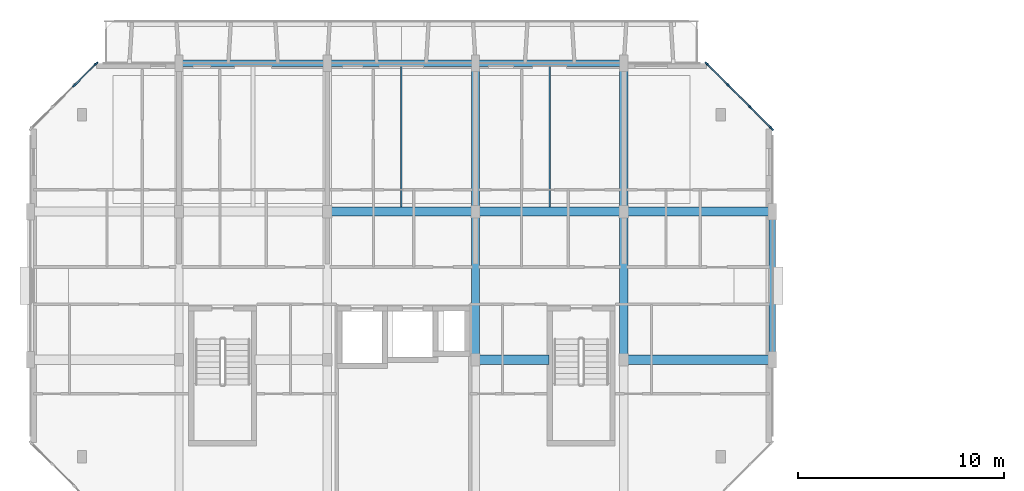
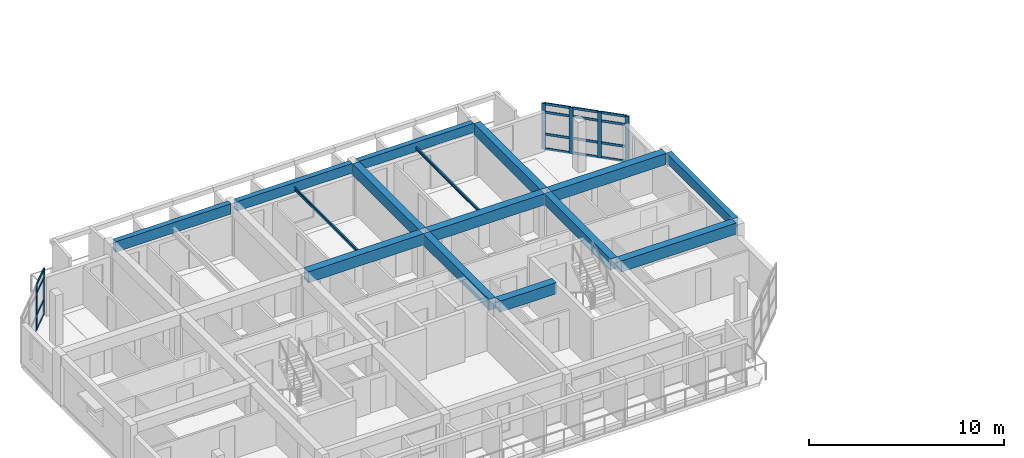
# One storey, part 6 of 44: 22 members, 15 beams, 2 elements without a shape of their own.
"""IFC4 building model written with IfcOpenShell, lengths in metres."""

from ifc_helpers import new_model, si_unit, direction, frame, origin, origin_2d, place, context, subcontext, project, spatial, rectangle, i_section, u_section, extrude, material, layer, layer_set, material_profile, profile_set, type_object, element, aggregate, save


model = new_model("IFC4")

# Units and contexts
model_context = context("Model", 3, precision=1e-05, world=origin(), true_north=direction((0.0, 1.0)))
body_context = subcontext(model_context, "Body", "Model", "MODEL_VIEW")
ifc_project = project(units=[si_unit("LENGTHUNIT", "METRE"), si_unit("AREAUNIT", "SQUARE_METRE"), si_unit("VOLUMEUNIT", "CUBIC_METRE"), si_unit("PLANEANGLEUNIT", "RADIAN"), si_unit("MASSUNIT", "GRAM", prefix="KILO")], contexts=[model_context])

# Site, building, storey
site_placement = place(None, origin())
site = spatial("IfcSite", under=ifc_project, at=site_placement, CompositionType="ELEMENT")
building_placement = place(site_placement, origin())
building = spatial("IfcBuilding", under=site, at=building_placement, Name="Ochrevale Crest", CompositionType="ELEMENT")
storey_placement = place(building_placement, frame((0.0, 0.0, 21.300048828125)))
storey = spatial("IfcBuildingStorey", under=building, at=storey_placement, Name="L06", CompositionType="ELEMENT", Elevation=21.300048828125)

# Beams
ifc_material_1 = material(Name="Precast concrete C50/60", Category="concrete")
ifc_material_profile_1 = material_profile(ifc_material_1, rectangle(XDim=0.39990234375, YDim=0.699951171875, at=origin_2d()), Name="PC 400x700")
ifc_profile_set_1 = profile_set([ifc_material_profile_1], Name="Precast concrete C50/60")
beam_type_1 = type_object("IfcBeamType", Name="BM-PC400x700", PredefinedType="BEAM", material=ifc_profile_set_1)
beam_1_placement = place(storey_placement, frame((21.60009765625, 79.405029296875, 2.800048828125), z_axis=(0.0, 1.0, 0.0), x_axis=(-1.0, 0.0, 0.0)))
element("IfcBeam", 1, at=beam_1_placement, inside=storey, type_object=beam_type_1, Name="Block B L06 N-S beam X=21.6", PredefinedType="BEAM", context=body_context, shape_type="SweptSolid", body=[
    extrude(rectangle(XDim=0.39990234375, YDim=0.699951171875, at=origin_2d()), origin(), (0.0, 0.0, 1.0), 6.7900390625),
])
beam_2_placement = place(storey_placement, frame((21.60009765625, 86.60498046875, 2.800048828125), z_axis=(0.0, 1.0, 0.0), x_axis=(-1.0, 0.0, 0.0)))
element("IfcBeam", 2, at=beam_2_placement, inside=storey, type_object=beam_type_1, Name="Block B L06 N-S beam X=21.6", PredefinedType="BEAM", context=body_context, shape_type="SweptSolid", body=[
    extrude(rectangle(XDim=0.39990234375, YDim=0.699951171875, at=origin_2d()), origin(), (0.0, 0.0, 1.0), 6.81494140625),
])
beam_3_placement = place(storey_placement, frame((28.800048828125, 79.405029296875, 2.800048828125), z_axis=(0.0, 1.0, 0.0), x_axis=(-1.0, 0.0, 0.0)))
element("IfcBeam", 3, at=beam_3_placement, inside=storey, type_object=beam_type_1, Name="Block B L06 N-S beam X=28.8", PredefinedType="BEAM", context=body_context, shape_type="SweptSolid", body=[
    extrude(rectangle(XDim=0.39990234375, YDim=0.699951171875, at=origin_2d()), origin(), (0.0, 0.0, 1.0), 6.7900390625),
])
beam_4_placement = place(storey_placement, frame((28.800048828125, 86.60498046875, 2.800048828125), z_axis=(0.0, 1.0, 0.0), x_axis=(-1.0, 0.0, 0.0)))
element("IfcBeam", 4, at=beam_4_placement, inside=storey, type_object=beam_type_1, Name="Block B L06 N-S beam X=28.8", PredefinedType="BEAM", context=body_context, shape_type="SweptSolid", body=[
    extrude(rectangle(XDim=0.39990234375, YDim=0.699951171875, at=origin_2d()), origin(), (0.0, 0.0, 1.0), 6.81494140625),
])
ifc_material_2 = material(Name="Steel S355", Category="steel")
ifc_material_profile_2 = material_profile(ifc_material_2, u_section(Depth=0.199951171875, FlangeWidth=0.074951171875, WebThickness=0.006103515625, FlangeThickness=0.011962890625, FilletRadius=0.011962890625, at=origin_2d()), Name="200PFC")
ifc_profile_set_2 = profile_set([ifc_material_profile_2], Name="Steel S355")
beam_type_2 = type_object("IfcBeamType", Name="BM-PFC200", PredefinedType="JOIST", material=ifc_profile_set_2)
beam_5_placement = place(storey_placement, frame((18.0, 86.613037109375, 2.77490234375), z_axis=(0.0, 1.0, 0.0), x_axis=(-1.0, 0.0, 0.0)))
element("IfcBeam", 5, at=beam_5_placement, inside=storey, type_object=beam_type_2, Name="Block B L06 composite plank trimmer beam 3", PredefinedType="JOIST", context=body_context, shape_type="SweptSolid", body=[
    extrude(u_section(Depth=0.199951171875, FlangeWidth=0.074951171875, WebThickness=0.006103515625, FlangeThickness=0.011962890625, FilletRadius=0.011962890625, at=origin_2d()), origin(), (0.0, 0.0, 1.0), 6.848876953125),
])
ifc_material_3 = material(Name="Concrete C50/60", Category="concrete")
ifc_material_profile_3 = material_profile(ifc_material_3, rectangle(XDim=0.449951171875, YDim=0.699951171875, at=origin_2d()), Name="RC 450x700")
ifc_profile_set_3 = profile_set([ifc_material_profile_3], Name="Concrete C50/60")
beam_type_3 = type_object("IfcBeamType", Name="BM-PG450x700", PredefinedType="USERDEFINED", material=ifc_profile_set_3)
beam_6_placement = place(storey_placement, frame((21.800048828125, 79.199951171875, 2.800048828125), z_axis=(1.0, 0.0, 0.0), x_axis=(0.0, 1.0, 0.0)))
element("IfcBeam", 6, at=beam_6_placement, inside=storey, type_object=beam_type_3, Name="Block B L06 E-W beam Y=79.2", ObjectType="GIRDER", PredefinedType="USERDEFINED", context=body_context, shape_type="SweptSolid", body=[
    extrude(rectangle(XDim=0.449951171875, YDim=0.699951171875, at=origin_2d()), origin(), (0.0, 0.0, 1.0), 3.35986328125),
])
beam_7_placement = place(storey_placement, frame((29.0, 79.199951171875, 2.800048828125), z_axis=(1.0, 0.0, 0.0), x_axis=(0.0, 1.0, 0.0)))
element("IfcBeam", 7, at=beam_7_placement, inside=storey, type_object=beam_type_3, Name="Block B L06 E-W beam Y=79.2", ObjectType="GIRDER", PredefinedType="USERDEFINED", context=body_context, shape_type="SweptSolid", body=[
    extrude(rectangle(XDim=0.449951171875, YDim=0.699951171875, at=origin_2d()), origin(), (0.0, 0.0, 1.0), 6.824951171875),
])
beam_8_placement = place(storey_placement, frame((14.60009765625, 86.39990234375, 2.800048828125), z_axis=(1.0, 0.0, 0.0), x_axis=(0.0, 1.0, 0.0)))
element("IfcBeam", 8, at=beam_8_placement, inside=storey, type_object=beam_type_3, Name="Block B L06 E-W beam Y=86.4", ObjectType="GIRDER", PredefinedType="USERDEFINED", context=body_context, shape_type="SweptSolid", body=[
    extrude(rectangle(XDim=0.449951171875, YDim=0.699951171875, at=origin_2d()), origin(), (0.0, 0.0, 1.0), 6.7998046875),
])
beam_9_placement = place(storey_placement, frame((21.800048828125, 86.39990234375, 2.800048828125), z_axis=(1.0, 0.0, 0.0), x_axis=(0.0, 1.0, 0.0)))
element("IfcBeam", 9, at=beam_9_placement, inside=storey, type_object=beam_type_3, Name="Block B L06 E-W beam Y=86.4", ObjectType="GIRDER", PredefinedType="USERDEFINED", context=body_context, shape_type="SweptSolid", body=[
    extrude(rectangle(XDim=0.449951171875, YDim=0.699951171875, at=origin_2d()), origin(), (0.0, 0.0, 1.0), 6.800048828125),
])
beam_10_placement = place(storey_placement, frame((29.0, 86.39990234375, 2.800048828125), z_axis=(1.0, 0.0, 0.0), x_axis=(0.0, 1.0, 0.0)))
element("IfcBeam", 10, at=beam_10_placement, inside=storey, type_object=beam_type_3, Name="Block B L06 E-W beam Y=86.4", ObjectType="GIRDER", PredefinedType="USERDEFINED", context=body_context, shape_type="SweptSolid", body=[
    extrude(rectangle(XDim=0.449951171875, YDim=0.699951171875, at=origin_2d()), origin(), (0.0, 0.0, 1.0), 6.824951171875),
])
ifc_material_4 = material(Name="Precast concrete C40/50", Category="concrete")
ifc_material_profile_4 = material_profile(ifc_material_4, rectangle(XDim=0.300048828125, YDim=0.580078125, at=origin_2d()), Name="PC 300x580")
ifc_profile_set_4 = profile_set([ifc_material_profile_4], Name="Precast concrete C40/50")
beam_type_4 = type_object("IfcBeamType", Name="BM-SP300x580", PredefinedType="SPANDREL", material=ifc_profile_set_4)
beam_11_placement = place(storey_placement, frame((21.77490234375, 93.60009765625, 2.85986328125), z_axis=(1.0, 0.0, 0.0), x_axis=(0.0, 1.0, 0.0)))
element("IfcBeam", 11, at=beam_11_placement, inside=storey, type_object=beam_type_4, Name="Block B L06 E-W beam Y=93.6", PredefinedType="SPANDREL", context=body_context, shape_type="SweptSolid", body=[
    extrude(rectangle(XDim=0.300048828125, YDim=0.580078125, at=origin_2d()), origin(), (0.0, 0.0, 1.0), 6.85009765625),
])
ifc_material_profile_5 = material_profile(ifc_material_4, rectangle(XDim=0.300048828125, YDim=0.60009765625, at=origin_2d()), Name="PC 300x600")
ifc_profile_set_5 = profile_set([ifc_material_profile_5], Name="Precast concrete C40/50")
beam_type_5 = type_object("IfcBeamType", Name="BM-SP300x600", PredefinedType="SPANDREL", material=ifc_profile_set_5)
beam_12_placement = place(storey_placement, frame((14.574951171875, 93.60009765625, 2.849853515625), z_axis=(1.0, 0.0, 0.0), x_axis=(0.0, 1.0, 0.0)))
element("IfcBeam", 12, at=beam_12_placement, inside=storey, type_object=beam_type_5, Name="Block B L06 E-W beam Y=93.6", PredefinedType="SPANDREL", context=body_context, shape_type="SweptSolid", body=[
    extrude(rectangle(XDim=0.300048828125, YDim=0.60009765625, at=origin_2d()), origin(), (0.0, 0.0, 1.0), 6.85009765625),
])
beam_13_placement = place(storey_placement, frame((36.0, 79.3798828125, 2.849853515625), z_axis=(0.0, 1.0, 0.0), x_axis=(-1.0, 0.0, 0.0)))
element("IfcBeam", 13, at=beam_13_placement, inside=storey, type_object=beam_type_5, Name="Block B L06 N-S beam X=36.0", PredefinedType="SPANDREL", context=body_context, shape_type="SweptSolid", body=[
    extrude(rectangle(XDim=0.300048828125, YDim=0.60009765625, at=origin_2d()), origin(), (0.0, 0.0, 1.0), 6.840087890625),
])
ifc_material_profile_6 = material_profile(ifc_material_4, rectangle(XDim=0.300048828125, YDim=0.64990234375, at=origin_2d()), Name="PC 300x650")
ifc_profile_set_6 = profile_set([ifc_material_profile_6], Name="Precast concrete C40/50")
beam_type_6 = type_object("IfcBeamType", Name="BM-SP300x650", PredefinedType="SPANDREL", material=ifc_profile_set_6)
beam_14_placement = place(storey_placement, frame((7.375, 93.60009765625, 2.824951171875), z_axis=(1.0, 0.0, 0.0), x_axis=(0.0, 1.0, 0.0)))
element("IfcBeam", 14, at=beam_14_placement, inside=storey, type_object=beam_type_6, Name="Block B L06 E-W beam Y=93.6", PredefinedType="SPANDREL", context=body_context, shape_type="SweptSolid", body=[
    extrude(rectangle(XDim=0.300048828125, YDim=0.64990234375, at=origin_2d()), origin(), (0.0, 0.0, 1.0), 6.85009765625),
])
ifc_material_profile_7 = material_profile(ifc_material_2, i_section(OverallWidth=0.090087890625, OverallDepth=0.1787109375, WebThickness=0.006103515625, FlangeThickness=0.010009765625, FilletRadius=0.0087890625, at=origin_2d()), Name="180UB22.2")
ifc_profile_set_7 = profile_set([ifc_material_profile_7], Name="Steel S355")
beam_type_7 = type_object("IfcBeamType", Name="BM-UB180", PredefinedType="JOIST", material=ifc_profile_set_7)
beam_15_placement = place(storey_placement, frame((25.199951171875, 86.613037109375, 2.78564453125), z_axis=(0.0, 1.0, 0.0), x_axis=(-1.0, 0.0, 0.0)))
element("IfcBeam", 15, at=beam_15_placement, inside=storey, type_object=beam_type_7, Name="Block B L06 composite plank trimmer beam 4", PredefinedType="JOIST", context=body_context, shape_type="SweptSolid", body=[
    extrude(i_section(OverallWidth=0.090087890625, OverallDepth=0.1787109375, WebThickness=0.006103515625, FlangeThickness=0.010009765625, FilletRadius=0.0087890625, at=origin_2d()), origin(), (0.0, 0.0, 1.0), 6.848876953125),
])

# Curtain wall, members
ifc_material_5 = material(Name="Anodised aluminium 6063-T5", Category="aluminium")
ifc_layer_1 = layer(ifc_material_5, 0.14990234375)
ifc_layer_set_1 = layer_set([ifc_layer_1], Name="Anodised aluminium 6063-T5")
curtain_wall_type_1 = type_object("IfcCurtainWallType", Name="CW-WG-240x285", PredefinedType="NOTDEFINED", material=ifc_layer_set_1)
curtain_wall_1_placement = place(storey_placement, origin())
curtain_wall_1 = element("IfcCurtainWall", 16, at=curtain_wall_1_placement, inside=storey, type_object=curtain_wall_type_1, Name="Block B L06 chamfered corner wintergarden curtain wall 4", PredefinedType="NOTDEFINED")
ifc_material_profile_8 = material_profile(ifc_material_5, rectangle(XDim=0.074951171875, YDim=0.219970703125, at=origin_2d()), Name="ALU 75x220")
ifc_profile_set_8 = profile_set([ifc_material_profile_8], Name="Anodised aluminium 6063-T5")
member_type_1 = type_object("IfcMemberType", Name="CW-MUL-75x220", PredefinedType="MULLION", material=ifc_profile_set_8)
member_1_placement = place(storey_placement, frame((35.973388671875, 90.426513671875, 0.0), z_axis=(0.0, 0.0, 1.0), x_axis=(-0.707106781187, -0.707106781187, 0.0)))
member_1 = element("IfcMember", 17, at=member_1_placement, type_object=member_type_1, Name="CW15 mullion 1", PredefinedType="MULLION", context=body_context, shape_type="SweptSolid", body=[
    extrude(rectangle(XDim=0.074951171875, YDim=0.219970703125, at=origin_2d()), origin(), (0.0, 0.0, 1.0), 2.875),
])
member_2_placement = place(storey_placement, frame((34.933349609375, 91.466552734375, 0.0), z_axis=(0.0, 0.0, 1.0), x_axis=(-0.707106781187, -0.707106781187, 0.0)))
member_2 = element("IfcMember", 18, at=member_2_placement, type_object=member_type_1, Name="CW15 mullion 2", PredefinedType="MULLION", context=body_context, shape_type="SweptSolid", body=[
    extrude(rectangle(XDim=0.074951171875, YDim=0.219970703125, at=origin_2d()), origin(), (0.0, 0.0, 1.0), 2.875),
])
member_3_placement = place(storey_placement, frame((33.86669921875, 92.533447265625, 0.0), z_axis=(0.0, 0.0, 1.0), x_axis=(-0.707106781187, -0.707106781187, 0.0)))
member_3 = element("IfcMember", 19, at=member_3_placement, type_object=member_type_1, Name="CW15 mullion 3", PredefinedType="MULLION", context=body_context, shape_type="SweptSolid", body=[
    extrude(rectangle(XDim=0.074951171875, YDim=0.219970703125, at=origin_2d()), origin(), (0.0, 0.0, 1.0), 2.875),
])
member_4_placement = place(storey_placement, frame((32.826416015625, 93.573486328125, 0.0), z_axis=(0.0, 0.0, 1.0), x_axis=(-0.707106781187, -0.707106781187, 0.0)))
member_4 = element("IfcMember", 20, at=member_4_placement, type_object=member_type_1, Name="CW15 mullion 4", PredefinedType="MULLION", context=body_context, shape_type="SweptSolid", body=[
    extrude(rectangle(XDim=0.074951171875, YDim=0.219970703125, at=origin_2d()), origin(), (0.0, 0.0, 1.0), 2.875),
])

ifc_layer_2 = layer(ifc_material_5, 0.14990234375)
ifc_layer_set_2 = layer_set([ifc_layer_2], Name="Anodised aluminium 6063-T5")
curtain_wall_type_2 = type_object("IfcCurtainWallType", Name="CW-WG-320x285", PredefinedType="NOTDEFINED", material=ifc_layer_set_2)
curtain_wall_2_placement = place(storey_placement, origin())
curtain_wall_2 = element("IfcCurtainWall", 21, at=curtain_wall_2_placement, inside=storey, type_object=curtain_wall_type_2, Name="Block B L06 chamfered corner wintergarden curtain wall 6", PredefinedType="NOTDEFINED")
member_5_placement = place(storey_placement, frame((3.173583984375, 93.573486328125, 0.0), z_axis=(0.0, 0.0, 1.0), x_axis=(0.707106781187, -0.707106781187, 0.0)))
member_5 = element("IfcMember", 22, at=member_5_placement, type_object=member_type_1, Name="CW17 mullion 1", PredefinedType="MULLION", context=body_context, shape_type="SweptSolid", body=[
    extrude(rectangle(XDim=0.074951171875, YDim=0.219970703125, at=origin_2d()), origin(), (0.0, 0.0, 1.0), 2.875),
])
member_6_placement = place(storey_placement, frame((2.13330078125, 92.533447265625, 0.0), z_axis=(0.0, 0.0, 1.0), x_axis=(0.707106781187, -0.707106781187, 0.0)))
member_6 = element("IfcMember", 23, at=member_6_placement, type_object=member_type_1, Name="CW17 mullion 2", PredefinedType="MULLION", context=body_context, shape_type="SweptSolid", body=[
    extrude(rectangle(XDim=0.074951171875, YDim=0.219970703125, at=origin_2d()), origin(), (0.0, 0.0, 1.0), 2.875),
])

# Member
ifc_material_profile_9 = material_profile(ifc_material_5, rectangle(XDim=0.06005859375, YDim=0.14990234375, at=origin_2d()), Name="ALU 60x150")
ifc_profile_set_9 = profile_set([ifc_material_profile_9], Name="Anodised aluminium 6063-T5")
member_type_2 = type_object("IfcMemberType", Name="CW-TRN-60x150", PredefinedType="USERDEFINED", material=ifc_profile_set_9)
member_7_placement = place(storey_placement, frame((35.947021484375, 90.453125, 0.030029296875), z_axis=(-0.707106781187, 0.707106781187, 0.0), x_axis=(-0.707106781187, -0.707106781187, 0.0)))
member_7 = element("IfcMember", 24, at=member_7_placement, type_object=member_type_2, Name="CW15 transom 1.1", ObjectType="TRANSOM", PredefinedType="USERDEFINED", context=body_context, shape_type="SweptSolid", body=[
    extrude(rectangle(XDim=0.06005859375, YDim=0.14990234375, at=origin_2d()), origin(), (0.0, 0.0, 1.0), 1.39599609375),
])

member_8_placement = place(storey_placement, frame((35.947021484375, 90.453125, 0.949951171875), z_axis=(-0.707106781187, 0.707106781187, 0.0), x_axis=(-0.707106781187, -0.707106781187, 0.0)))
member_8 = element("IfcMember", 25, at=member_8_placement, type_object=member_type_2, Name="CW15 transom 1.2", ObjectType="TRANSOM", PredefinedType="USERDEFINED", context=body_context, shape_type="SweptSolid", body=[
    extrude(rectangle(XDim=0.06005859375, YDim=0.14990234375, at=origin_2d()), origin(), (0.0, 0.0, 1.0), 1.39599609375),
])

member_9_placement = place(storey_placement, frame((35.947021484375, 90.453125, 2.324951171875), z_axis=(-0.707106781187, 0.707106781187, 0.0), x_axis=(-0.707106781187, -0.707106781187, 0.0)))
member_9 = element("IfcMember", 26, at=member_9_placement, type_object=member_type_2, Name="CW15 transom 1.3", ObjectType="TRANSOM", PredefinedType="USERDEFINED", context=body_context, shape_type="SweptSolid", body=[
    extrude(rectangle(XDim=0.06005859375, YDim=0.14990234375, at=origin_2d()), origin(), (0.0, 0.0, 1.0), 1.39599609375),
])

member_10_placement = place(storey_placement, frame((35.947021484375, 90.453125, 2.844970703125), z_axis=(-0.707106781187, 0.707106781187, 0.0), x_axis=(-0.707106781187, -0.707106781187, 0.0)))
member_10 = element("IfcMember", 27, at=member_10_placement, type_object=member_type_2, Name="CW15 transom 1.4", ObjectType="TRANSOM", PredefinedType="USERDEFINED", context=body_context, shape_type="SweptSolid", body=[
    extrude(rectangle(XDim=0.06005859375, YDim=0.14990234375, at=origin_2d()), origin(), (0.0, 0.0, 1.0), 1.39599609375),
])

member_11_placement = place(storey_placement, frame((34.90673828125, 91.4931640625, 0.030029296875), z_axis=(-0.707106781187, 0.707106781187, 0.0), x_axis=(-0.707106781187, -0.707106781187, 0.0)))
member_11 = element("IfcMember", 28, at=member_11_placement, type_object=member_type_2, Name="CW15 transom 2.1", ObjectType="TRANSOM", PredefinedType="USERDEFINED", context=body_context, shape_type="SweptSolid", body=[
    extrude(rectangle(XDim=0.06005859375, YDim=0.14990234375, at=origin_2d()), origin(), (0.0, 0.0, 1.0), 1.43359375),
])

member_12_placement = place(storey_placement, frame((34.90673828125, 91.4931640625, 0.949951171875), z_axis=(-0.707106781187, 0.707106781187, 0.0), x_axis=(-0.707106781187, -0.707106781187, 0.0)))
member_12 = element("IfcMember", 29, at=member_12_placement, type_object=member_type_2, Name="CW15 transom 2.2", ObjectType="TRANSOM", PredefinedType="USERDEFINED", context=body_context, shape_type="SweptSolid", body=[
    extrude(rectangle(XDim=0.06005859375, YDim=0.14990234375, at=origin_2d()), origin(), (0.0, 0.0, 1.0), 1.43359375),
])

member_13_placement = place(storey_placement, frame((34.90673828125, 91.4931640625, 2.324951171875), z_axis=(-0.707106781187, 0.707106781187, 0.0), x_axis=(-0.707106781187, -0.707106781187, 0.0)))
member_13 = element("IfcMember", 30, at=member_13_placement, type_object=member_type_2, Name="CW15 transom 2.3", ObjectType="TRANSOM", PredefinedType="USERDEFINED", context=body_context, shape_type="SweptSolid", body=[
    extrude(rectangle(XDim=0.06005859375, YDim=0.14990234375, at=origin_2d()), origin(), (0.0, 0.0, 1.0), 1.43359375),
])

member_14_placement = place(storey_placement, frame((34.90673828125, 91.4931640625, 2.844970703125), z_axis=(-0.707106781187, 0.707106781187, 0.0), x_axis=(-0.707106781187, -0.707106781187, 0.0)))
member_14 = element("IfcMember", 31, at=member_14_placement, type_object=member_type_2, Name="CW15 transom 2.4", ObjectType="TRANSOM", PredefinedType="USERDEFINED", context=body_context, shape_type="SweptSolid", body=[
    extrude(rectangle(XDim=0.06005859375, YDim=0.14990234375, at=origin_2d()), origin(), (0.0, 0.0, 1.0), 1.43359375),
])

member_15_placement = place(storey_placement, frame((33.840087890625, 92.559814453125, 0.030029296875), z_axis=(-0.707106781187, 0.707106781187, 0.0), x_axis=(-0.707106781187, -0.707106781187, 0.0)))
member_15 = element("IfcMember", 32, at=member_15_placement, type_object=member_type_2, Name="CW15 transom 3.1", ObjectType="TRANSOM", PredefinedType="USERDEFINED", context=body_context, shape_type="SweptSolid", body=[
    extrude(rectangle(XDim=0.06005859375, YDim=0.14990234375, at=origin_2d()), origin(), (0.0, 0.0, 1.0), 1.39599609375),
])

member_16_placement = place(storey_placement, frame((33.840087890625, 92.559814453125, 0.949951171875), z_axis=(-0.707106781187, 0.707106781187, 0.0), x_axis=(-0.707106781187, -0.707106781187, 0.0)))
member_16 = element("IfcMember", 33, at=member_16_placement, type_object=member_type_2, Name="CW15 transom 3.2", ObjectType="TRANSOM", PredefinedType="USERDEFINED", context=body_context, shape_type="SweptSolid", body=[
    extrude(rectangle(XDim=0.06005859375, YDim=0.14990234375, at=origin_2d()), origin(), (0.0, 0.0, 1.0), 1.39599609375),
])

member_17_placement = place(storey_placement, frame((33.840087890625, 92.559814453125, 2.324951171875), z_axis=(-0.707106781187, 0.707106781187, 0.0), x_axis=(-0.707106781187, -0.707106781187, 0.0)))
member_17 = element("IfcMember", 34, at=member_17_placement, type_object=member_type_2, Name="CW15 transom 3.3", ObjectType="TRANSOM", PredefinedType="USERDEFINED", context=body_context, shape_type="SweptSolid", body=[
    extrude(rectangle(XDim=0.06005859375, YDim=0.14990234375, at=origin_2d()), origin(), (0.0, 0.0, 1.0), 1.39599609375),
])

member_18_placement = place(storey_placement, frame((33.840087890625, 92.559814453125, 2.844970703125), z_axis=(-0.707106781187, 0.707106781187, 0.0), x_axis=(-0.707106781187, -0.707106781187, 0.0)))
member_18 = element("IfcMember", 35, at=member_18_placement, type_object=member_type_2, Name="CW15 transom 3.4", ObjectType="TRANSOM", PredefinedType="USERDEFINED", context=body_context, shape_type="SweptSolid", body=[
    extrude(rectangle(XDim=0.06005859375, YDim=0.14990234375, at=origin_2d()), origin(), (0.0, 0.0, 1.0), 1.39599609375),
])

aggregate(curtain_wall_1, [member_1, member_2, member_3, member_4, member_7, member_8, member_9, member_10, member_11, member_12, member_13, member_14, member_15, member_16, member_17, member_18])

member_19_placement = place(storey_placement, frame((3.14697265625, 93.546875, 0.030029296875), z_axis=(-0.707106781187, -0.707106781187, 0.0), x_axis=(0.707106781187, -0.707106781187, 0.0)))
member_19 = element("IfcMember", 36, at=member_19_placement, type_object=member_type_2, Name="CW17 transom 1.1", ObjectType="TRANSOM", PredefinedType="USERDEFINED", context=body_context, shape_type="SweptSolid", body=[
    extrude(rectangle(XDim=0.06005859375, YDim=0.14990234375, at=origin_2d()), origin(), (0.0, 0.0, 1.0), 1.39599609375),
])

member_20_placement = place(storey_placement, frame((3.14697265625, 93.546875, 0.949951171875), z_axis=(-0.707106781187, -0.707106781187, 0.0), x_axis=(0.707106781187, -0.707106781187, 0.0)))
member_20 = element("IfcMember", 37, at=member_20_placement, type_object=member_type_2, Name="CW17 transom 1.2", ObjectType="TRANSOM", PredefinedType="USERDEFINED", context=body_context, shape_type="SweptSolid", body=[
    extrude(rectangle(XDim=0.06005859375, YDim=0.14990234375, at=origin_2d()), origin(), (0.0, 0.0, 1.0), 1.39599609375),
])

member_21_placement = place(storey_placement, frame((3.14697265625, 93.546875, 2.324951171875), z_axis=(-0.707106781187, -0.707106781187, 0.0), x_axis=(0.707106781187, -0.707106781187, 0.0)))
member_21 = element("IfcMember", 38, at=member_21_placement, type_object=member_type_2, Name="CW17 transom 1.3", ObjectType="TRANSOM", PredefinedType="USERDEFINED", context=body_context, shape_type="SweptSolid", body=[
    extrude(rectangle(XDim=0.06005859375, YDim=0.14990234375, at=origin_2d()), origin(), (0.0, 0.0, 1.0), 1.39599609375),
])

member_22_placement = place(storey_placement, frame((3.14697265625, 93.546875, 2.844970703125), z_axis=(-0.707106781187, -0.707106781187, 0.0), x_axis=(0.707106781187, -0.707106781187, 0.0)))
member_22 = element("IfcMember", 39, at=member_22_placement, type_object=member_type_2, Name="CW17 transom 1.4", ObjectType="TRANSOM", PredefinedType="USERDEFINED", context=body_context, shape_type="SweptSolid", body=[
    extrude(rectangle(XDim=0.06005859375, YDim=0.14990234375, at=origin_2d()), origin(), (0.0, 0.0, 1.0), 1.39599609375),
])

aggregate(curtain_wall_2, [member_5, member_6, member_19, member_20, member_21, member_22])

save(model, "model.ifc")
